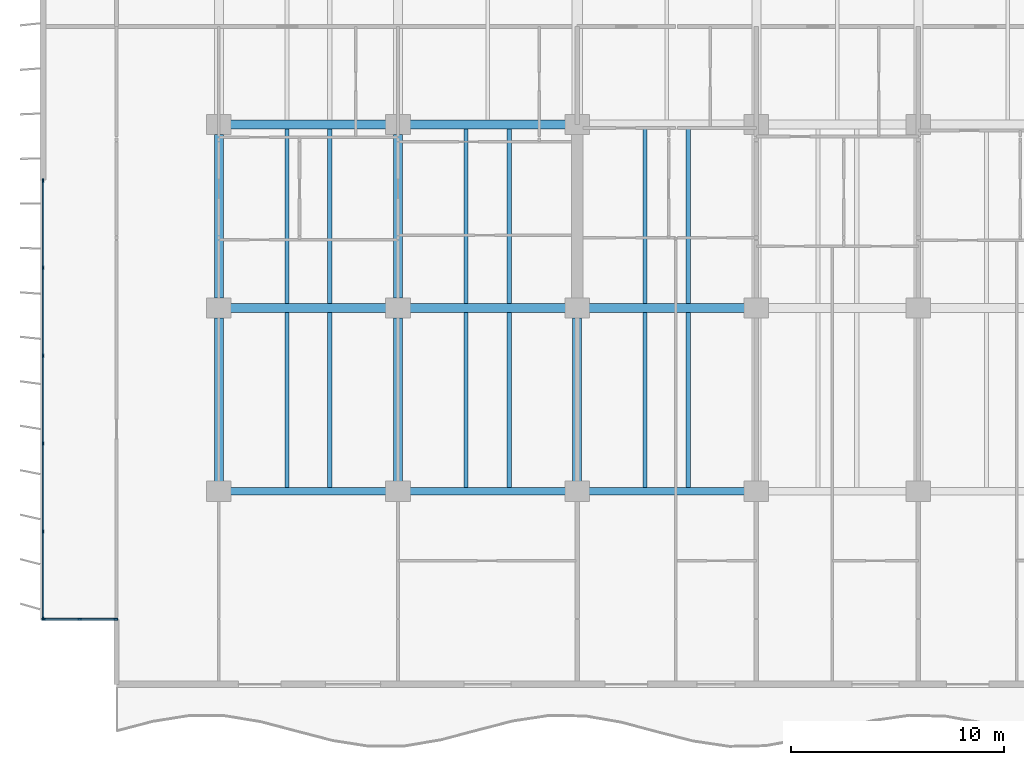
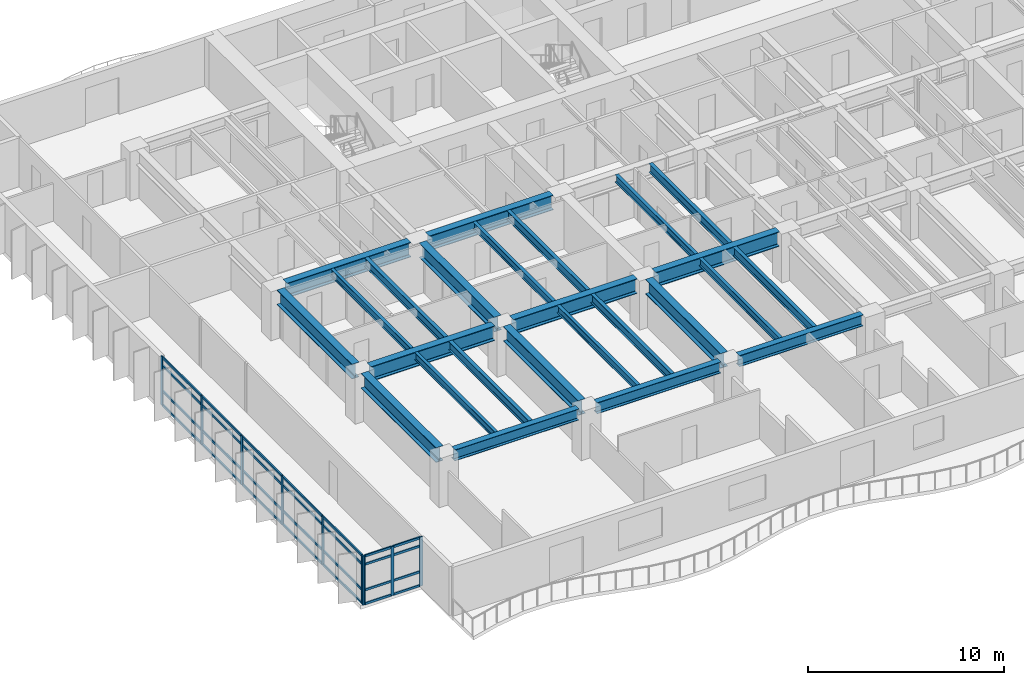
# One storey, part 2 of 18: 37 members, 25 beams, 2 elements without a shape of their own.
"""IFC4 building model written with IfcOpenShell, lengths in metres."""

from ifc_helpers import new_model, si_unit, direction, frame, origin, origin_2d, place, context, subcontext, project, spatial, rectangle, i_section, extrude, material, layer, layer_set, material_profile, profile_set, type_object, element, aggregate, save


model = new_model("IFC4")

# Units and contexts
model_context = context("Model", 3, precision=1e-05, world=origin(), true_north=direction((0.0, 1.0)))
body_context = subcontext(model_context, "Body", "Model", "MODEL_VIEW")
ifc_project = project(units=[si_unit("LENGTHUNIT", "METRE"), si_unit("AREAUNIT", "SQUARE_METRE"), si_unit("VOLUMEUNIT", "CUBIC_METRE"), si_unit("PLANEANGLEUNIT", "RADIAN"), si_unit("MASSUNIT", "GRAM", prefix="KILO")], contexts=[model_context])

# Site, building, storey
site_placement = place(None, origin())
site = spatial("IfcSite", under=ifc_project, at=site_placement, CompositionType="ELEMENT")
building_placement = place(site_placement, origin())
building = spatial("IfcBuilding", under=site, at=building_placement, Name="Caelmar Bay Residences", CompositionType="ELEMENT")
storey_placement = place(building_placement, frame((0.0, 0.0, 46.5)))
storey = spatial("IfcBuildingStorey", under=building, at=storey_placement, Name="L11", CompositionType="ELEMENT", Elevation=46.5)

# Beams
ifc_material_1 = material(Name="Steel ASTM A992 Grade 50", Category="steel")
ifc_material_profile_1 = material_profile(ifc_material_1, i_section(OverallWidth=0.422119140625, OverallDepth=0.925048828125, WebThickness=0.021240234375, FlangeThickness=0.03662109375, FilletRadius=0.020263671875, at=origin_2d()), Name="W36X262")
ifc_profile_set_1 = profile_set([ifc_material_profile_1], Name="Steel ASTM A992 Grade 50")
beam_type_1 = type_object("IfcBeamType", Name="BM-GRD-W36X262", PredefinedType="BEAM", material=ifc_profile_set_1)
beam_1_placement = place(storey_placement, frame((10.43994140625, 20.800048828125, 2.58740234375), z_axis=(1.0, 0.0, 0.0), x_axis=(0.0, 1.0, 0.0)))
element("IfcBeam", 1, at=beam_1_placement, inside=storey, type_object=beam_type_1, Name="L11 East-West Girder Y=20.80 (9.9-18.3)", PredefinedType="BEAM", context=body_context, shape_type="SweptSolid", body=[
    extrude(i_section(OverallWidth=0.422119140625, OverallDepth=0.925048828125, WebThickness=0.021240234375, FlangeThickness=0.03662109375, FilletRadius=0.020263671875, at=origin_2d()), origin(), (0.0, 0.0, 1.0), 7.320068359375),
])
beam_2_placement = place(storey_placement, frame((18.840087890625, 20.800048828125, 2.58740234375), z_axis=(1.0, 0.0, 0.0), x_axis=(0.0, 1.0, 0.0)))
element("IfcBeam", 2, at=beam_2_placement, inside=storey, type_object=beam_type_1, Name="L11 East-West Girder Y=20.80 (18.3-26.7)", PredefinedType="BEAM", context=body_context, shape_type="SweptSolid", body=[
    extrude(i_section(OverallWidth=0.422119140625, OverallDepth=0.925048828125, WebThickness=0.021240234375, FlangeThickness=0.03662109375, FilletRadius=0.020263671875, at=origin_2d()), origin(), (0.0, 0.0, 1.0), 7.31982421875),
])
for number, where, z_axis, x_axis, name in (
    (3, (27.239990234375, 20.800048828125, 2.58740234375), (1.0, 0.0, 0.0), (0.0, 1.0, 0.0), "L11 East-West Girder Y=20.80 (26.7-35.1)"),
    (4, (10.43994140625, 29.39990234375, 2.58740234375), (1.0, 0.0, 0.0), (0.0, 1.0, 0.0), "L11 East-West Girder Y=29.40 (9.9-18.3)"),
):
    element("IfcBeam", number, at=place(storey_placement, frame(where, z_axis=z_axis, x_axis=x_axis)), inside=storey, type_object=beam_type_1, Name=name, PredefinedType="BEAM", context=body_context, shape_type="SweptSolid", body=[
        extrude(i_section(OverallWidth=0.422119140625, OverallDepth=0.925048828125, WebThickness=0.021240234375, FlangeThickness=0.03662109375, FilletRadius=0.020263671875, at=origin_2d()), origin(), (0.0, 0.0, 1.0), 7.320068359375),
    ])
beam_3_placement = place(storey_placement, frame((18.840087890625, 29.39990234375, 2.58740234375), z_axis=(1.0, 0.0, 0.0), x_axis=(0.0, 1.0, 0.0)))
element("IfcBeam", 5, at=beam_3_placement, inside=storey, type_object=beam_type_1, Name="L11 East-West Girder Y=29.40 (18.3-26.7)", PredefinedType="BEAM", context=body_context, shape_type="SweptSolid", body=[
    extrude(i_section(OverallWidth=0.422119140625, OverallDepth=0.925048828125, WebThickness=0.021240234375, FlangeThickness=0.03662109375, FilletRadius=0.020263671875, at=origin_2d()), origin(), (0.0, 0.0, 1.0), 7.31982421875),
])
beam_4_placement = place(storey_placement, frame((9.89990234375, 12.6650390625, 2.58740234375), z_axis=(0.0, 1.0, 0.0), x_axis=(-1.0, 0.0, 0.0)))
element("IfcBeam", 6, at=beam_4_placement, inside=storey, type_object=beam_type_1, Name="L11 North-South Girder X=9.90 (12.2-20.8)", PredefinedType="BEAM", context=body_context, shape_type="SweptSolid", body=[
    extrude(i_section(OverallWidth=0.422119140625, OverallDepth=0.925048828125, WebThickness=0.021240234375, FlangeThickness=0.03662109375, FilletRadius=0.020263671875, at=origin_2d()), origin(), (0.0, 0.0, 1.0), 7.669921875),
])
beam_5_placement = place(storey_placement, frame((9.89990234375, 21.264892578125, 2.58740234375), z_axis=(0.0, 1.0, 0.0), x_axis=(-1.0, 0.0, 0.0)))
element("IfcBeam", 7, at=beam_5_placement, inside=storey, type_object=beam_type_1, Name="L11 North-South Girder X=9.90 (20.8-29.4)", PredefinedType="BEAM", context=body_context, shape_type="SweptSolid", body=[
    extrude(i_section(OverallWidth=0.422119140625, OverallDepth=0.925048828125, WebThickness=0.021240234375, FlangeThickness=0.03662109375, FilletRadius=0.020263671875, at=origin_2d()), origin(), (0.0, 0.0, 1.0), 7.670166015625),
])
beam_6_placement = place(storey_placement, frame((18.300048828125, 12.6650390625, 2.58740234375), z_axis=(0.0, 1.0, 0.0), x_axis=(-1.0, 0.0, 0.0)))
element("IfcBeam", 8, at=beam_6_placement, inside=storey, type_object=beam_type_1, Name="L11 North-South Girder X=18.30 (12.2-20.8)", PredefinedType="BEAM", context=body_context, shape_type="SweptSolid", body=[
    extrude(i_section(OverallWidth=0.422119140625, OverallDepth=0.925048828125, WebThickness=0.021240234375, FlangeThickness=0.03662109375, FilletRadius=0.020263671875, at=origin_2d()), origin(), (0.0, 0.0, 1.0), 7.669921875),
])
beam_7_placement = place(storey_placement, frame((18.300048828125, 21.264892578125, 2.58740234375), z_axis=(0.0, 1.0, 0.0), x_axis=(-1.0, 0.0, 0.0)))
element("IfcBeam", 9, at=beam_7_placement, inside=storey, type_object=beam_type_1, Name="L11 North-South Girder X=18.30 (20.8-29.4)", PredefinedType="BEAM", context=body_context, shape_type="SweptSolid", body=[
    extrude(i_section(OverallWidth=0.422119140625, OverallDepth=0.925048828125, WebThickness=0.021240234375, FlangeThickness=0.03662109375, FilletRadius=0.020263671875, at=origin_2d()), origin(), (0.0, 0.0, 1.0), 7.670166015625),
])
beam_8_placement = place(storey_placement, frame((26.699951171875, 12.6650390625, 2.58740234375), z_axis=(0.0, 1.0, 0.0), x_axis=(-1.0, 0.0, 0.0)))
element("IfcBeam", 10, at=beam_8_placement, inside=storey, type_object=beam_type_1, Name="L11 North-South Girder X=26.70 (12.2-20.8)", PredefinedType="BEAM", context=body_context, shape_type="SweptSolid", body=[
    extrude(i_section(OverallWidth=0.422119140625, OverallDepth=0.925048828125, WebThickness=0.021240234375, FlangeThickness=0.03662109375, FilletRadius=0.020263671875, at=origin_2d()), origin(), (0.0, 0.0, 1.0), 7.669921875),
])
ifc_material_profile_2 = material_profile(ifc_material_1, i_section(OverallWidth=0.19091796875, OverallDepth=0.45703125, WebThickness=0.009033203125, FlangeThickness=0.014404296875, FilletRadius=0.01025390625, at=origin_2d()), Name="W18X50")
ifc_profile_set_2 = profile_set([ifc_material_profile_2], Name="Steel ASTM A992 Grade 50")
beam_type_2 = type_object("IfcBeamType", Name="BM-JST-W18X50", PredefinedType="JOIST", material=ifc_profile_set_2)
for number, where, z_axis, x_axis, name in (
    (11, (13.092041015625, 12.3779296875, 2.821533203125), (0.0, 1.0, 0.0), (-1.0, 0.0, 0.0), "L11 Composite Floor Joist 1"),
    (12, (21.491943359375, 12.3779296875, 2.821533203125), (0.0, 1.0, 0.0), (-1.0, 0.0, 0.0), "L11 Composite Floor Joist 3"),
    (13, (29.89208984375, 12.3779296875, 2.821533203125), (0.0, 1.0, 0.0), (-1.0, 0.0, 0.0), "L11 Composite Floor Joist 5"),
):
    element("IfcBeam", number, at=place(storey_placement, frame(where, z_axis=z_axis, x_axis=x_axis)), inside=storey, type_object=beam_type_2, Name=name, PredefinedType="JOIST", context=body_context, shape_type="SweptSolid", body=[
        extrude(i_section(OverallWidth=0.19091796875, OverallDepth=0.45703125, WebThickness=0.009033203125, FlangeThickness=0.014404296875, FilletRadius=0.01025390625, at=origin_2d()), origin(), (0.0, 0.0, 1.0), 8.211181640625),
    ])
for number, where, z_axis, x_axis, name in (
    (14, (13.092041015625, 21.010986328125, 2.821533203125), (0.0, 1.0, 0.0), (-1.0, 0.0, 0.0), "L11 Composite Floor Joist 15"),
    (15, (21.491943359375, 21.010986328125, 2.821533203125), (0.0, 1.0, 0.0), (-1.0, 0.0, 0.0), "L11 Composite Floor Joist 17"),
    (16, (29.89208984375, 21.010986328125, 2.821533203125), (0.0, 1.0, 0.0), (-1.0, 0.0, 0.0), "L11 Composite Floor Joist 19"),
):
    element("IfcBeam", number, at=place(storey_placement, frame(where, z_axis=z_axis, x_axis=x_axis)), inside=storey, type_object=beam_type_2, Name=name, PredefinedType="JOIST", context=body_context, shape_type="SweptSolid", body=[
        extrude(i_section(OverallWidth=0.19091796875, OverallDepth=0.45703125, WebThickness=0.009033203125, FlangeThickness=0.014404296875, FilletRadius=0.01025390625, at=origin_2d()), origin(), (0.0, 0.0, 1.0), 8.177978515625),
    ])
ifc_material_profile_3 = material_profile(ifc_material_1, i_section(OverallWidth=0.214111328125, OverallDepth=0.549072265625, WebThickness=0.0146484375, FlangeThickness=0.023681640625, FilletRadius=0.0126953125, at=origin_2d()), Name="W21X93")
ifc_profile_set_3 = profile_set([ifc_material_profile_3], Name="Steel ASTM A992 Grade 50")
beam_type_3 = type_object("IfcBeamType", Name="BM-JST-W21X93", PredefinedType="JOIST", material=ifc_profile_set_3)
for number, where, z_axis, x_axis, name in (
    (17, (15.10791015625, 12.3779296875, 2.775390625), (0.0, 1.0, 0.0), (-1.0, 0.0, 0.0), "L11 Composite Floor Joist 2"),
    (18, (23.508056640625, 12.3779296875, 2.775390625), (0.0, 1.0, 0.0), (-1.0, 0.0, 0.0), "L11 Composite Floor Joist 4"),
    (19, (31.907958984375, 12.3779296875, 2.775390625), (0.0, 1.0, 0.0), (-1.0, 0.0, 0.0), "L11 Composite Floor Joist 6"),
):
    element("IfcBeam", number, at=place(storey_placement, frame(where, z_axis=z_axis, x_axis=x_axis)), inside=storey, type_object=beam_type_3, Name=name, PredefinedType="JOIST", context=body_context, shape_type="SweptSolid", body=[
        extrude(i_section(OverallWidth=0.214111328125, OverallDepth=0.549072265625, WebThickness=0.0146484375, FlangeThickness=0.023681640625, FilletRadius=0.0126953125, at=origin_2d()), origin(), (0.0, 0.0, 1.0), 8.211181640625),
    ])
for number, where, z_axis, x_axis, name in (
    (20, (15.10791015625, 21.010986328125, 2.775390625), (0.0, 1.0, 0.0), (-1.0, 0.0, 0.0), "L11 Composite Floor Joist 16"),
    (21, (23.508056640625, 21.010986328125, 2.775390625), (0.0, 1.0, 0.0), (-1.0, 0.0, 0.0), "L11 Composite Floor Joist 18"),
    (22, (31.907958984375, 21.010986328125, 2.775390625), (0.0, 1.0, 0.0), (-1.0, 0.0, 0.0), "L11 Composite Floor Joist 20"),
):
    element("IfcBeam", number, at=place(storey_placement, frame(where, z_axis=z_axis, x_axis=x_axis)), inside=storey, type_object=beam_type_3, Name=name, PredefinedType="JOIST", context=body_context, shape_type="SweptSolid", body=[
        extrude(i_section(OverallWidth=0.214111328125, OverallDepth=0.549072265625, WebThickness=0.0146484375, FlangeThickness=0.023681640625, FilletRadius=0.0126953125, at=origin_2d()), origin(), (0.0, 0.0, 1.0), 8.177978515625),
    ])
ifc_material_profile_4 = material_profile(ifc_material_1, i_section(OverallWidth=0.35595703125, OverallDepth=0.696044921875, WebThickness=0.015380859375, FlangeThickness=0.02490234375, FilletRadius=0.01513671875, at=origin_2d()), Name="W27X146")
ifc_profile_set_4 = profile_set([ifc_material_profile_4], Name="Steel ASTM A992 Grade 50")
beam_type_4 = type_object("IfcBeamType", Name="BM-SPN-W27X146", PredefinedType="SPANDREL", material=ifc_profile_set_4)
beam_9_placement = place(storey_placement, frame((10.43994140625, 12.199951171875, 2.701904296875), z_axis=(1.0, 0.0, 0.0), x_axis=(0.0, 1.0, 0.0)))
element("IfcBeam", 23, at=beam_9_placement, inside=storey, type_object=beam_type_4, Name="L11 East-West Girder Y=12.20 (9.9-18.3)", PredefinedType="SPANDREL", context=body_context, shape_type="SweptSolid", body=[
    extrude(i_section(OverallWidth=0.35595703125, OverallDepth=0.696044921875, WebThickness=0.015380859375, FlangeThickness=0.02490234375, FilletRadius=0.01513671875, at=origin_2d()), origin(), (0.0, 0.0, 1.0), 7.320068359375),
])
beam_10_placement = place(storey_placement, frame((18.840087890625, 12.199951171875, 2.701904296875), z_axis=(1.0, 0.0, 0.0), x_axis=(0.0, 1.0, 0.0)))
element("IfcBeam", 24, at=beam_10_placement, inside=storey, type_object=beam_type_4, Name="L11 East-West Girder Y=12.20 (18.3-26.7)", PredefinedType="SPANDREL", context=body_context, shape_type="SweptSolid", body=[
    extrude(i_section(OverallWidth=0.35595703125, OverallDepth=0.696044921875, WebThickness=0.015380859375, FlangeThickness=0.02490234375, FilletRadius=0.01513671875, at=origin_2d()), origin(), (0.0, 0.0, 1.0), 7.31982421875),
])
beam_11_placement = place(storey_placement, frame((27.239990234375, 12.199951171875, 2.701904296875), z_axis=(1.0, 0.0, 0.0), x_axis=(0.0, 1.0, 0.0)))
element("IfcBeam", 25, at=beam_11_placement, inside=storey, type_object=beam_type_4, Name="L11 East-West Girder Y=12.20 (26.7-35.1)", PredefinedType="SPANDREL", context=body_context, shape_type="SweptSolid", body=[
    extrude(i_section(OverallWidth=0.35595703125, OverallDepth=0.696044921875, WebThickness=0.015380859375, FlangeThickness=0.02490234375, FilletRadius=0.01513671875, at=origin_2d()), origin(), (0.0, 0.0, 1.0), 7.320068359375),
])

# Curtain wall, members
ifc_material_2 = material(Name="Anodised bronze aluminium 6063-T6 and laminated glass", Category="aluminium")
ifc_layer_1 = layer(ifc_material_2, 0.179931640625)
ifc_layer_set_1 = layer_set([ifc_layer_1], Name="Anodised bronze aluminium 6063-T6 and laminated glass")
curtain_wall_type_1 = type_object("IfcCurtainWallType", Name="CW6-NTC", PredefinedType="NOTDEFINED", material=ifc_layer_set_1)
curtain_wall_1_placement = place(storey_placement, origin())
curtain_wall_1 = element("IfcCurtainWall", 26, at=curtain_wall_1_placement, inside=storey, type_object=curtain_wall_type_1, Name="CW6 curtain wall L11", PredefinedType="NOTDEFINED")
ifc_material_3 = material(Name="Anodised bronze aluminium 6063-T6", Category="aluminium")
ifc_material_profile_5 = material_profile(ifc_material_3, rectangle(XDim=0.080078125, YDim=0.179931640625, at=origin_2d()), Name="CWM-80X180")
ifc_profile_set_5 = profile_set([ifc_material_profile_5], Name="Anodised bronze aluminium 6063-T6")
member_type_1 = type_object("IfcMemberType", Name="CWM-180", PredefinedType="MULLION", material=ifc_profile_set_5)
member_1_placement = place(storey_placement, frame((1.68994140625, 6.199951171875, 0.0), z_axis=(0.0, 0.0, 1.0), x_axis=(0.0, 1.0, 0.0)))
member_1 = element("IfcMember", 27, at=member_1_placement, type_object=member_type_1, Name="CW6 mullion 1", PredefinedType="MULLION", context=body_context, shape_type="SweptSolid", body=[
    extrude(rectangle(XDim=0.080078125, YDim=0.179931640625, at=origin_2d()), origin(), (0.0, 0.0, 1.0), 3.050048828125),
])
member_2_placement = place(storey_placement, frame((3.375, 6.199951171875, 0.0), z_axis=(0.0, 0.0, 1.0), x_axis=(0.0, 1.0, 0.0)))
member_2 = element("IfcMember", 28, at=member_2_placement, type_object=member_type_1, Name="CW6 mullion 2", PredefinedType="MULLION", context=body_context, shape_type="SweptSolid", body=[
    extrude(rectangle(XDim=0.080078125, YDim=0.179931640625, at=origin_2d()), origin(), (0.0, 0.0, 1.0), 3.050048828125),
])
member_3_placement = place(storey_placement, frame((5.06005859375, 6.199951171875, 0.0), z_axis=(0.0, 0.0, 1.0), x_axis=(0.0, 1.0, 0.0)))
member_3 = element("IfcMember", 29, at=member_3_placement, type_object=member_type_1, Name="CW6 mullion 3", PredefinedType="MULLION", context=body_context, shape_type="SweptSolid", body=[
    extrude(rectangle(XDim=0.080078125, YDim=0.179931640625, at=origin_2d()), origin(), (0.0, 0.0, 1.0), 3.050048828125),
])

ifc_layer_2 = layer(ifc_material_2, 0.179931640625)
ifc_layer_set_2 = layer_set([ifc_layer_2], Name="Anodised bronze aluminium 6063-T6 and laminated glass")
curtain_wall_type_2 = type_object("IfcCurtainWallType", Name="CW2-Z1", PredefinedType="NOTDEFINED", material=ifc_layer_set_2)
curtain_wall_2_placement = place(storey_placement, origin())
curtain_wall_2 = element("IfcCurtainWall", 30, at=curtain_wall_2_placement, inside=storey, type_object=curtain_wall_type_2, Name="CW2 curtain wall L11", PredefinedType="NOTDEFINED")
member_4_placement = place(storey_placement, frame((1.64990234375, 6.239990234375, 0.0), z_axis=(0.0, 0.0, 1.0), x_axis=(-1.0, 0.0, 0.0)))
member_4 = element("IfcMember", 31, at=member_4_placement, type_object=member_type_1, Name="CW2 mullion 1", PredefinedType="MULLION", context=body_context, shape_type="SweptSolid", body=[
    extrude(rectangle(XDim=0.080078125, YDim=0.179931640625, at=origin_2d()), origin(), (0.0, 0.0, 1.0), 3.050048828125),
])
member_5_placement = place(storey_placement, frame((1.64990234375, 10.320068359375, 0.0), z_axis=(0.0, 0.0, 1.0), x_axis=(-1.0, 0.0, 0.0)))
member_5 = element("IfcMember", 32, at=member_5_placement, type_object=member_type_1, Name="CW2 mullion 2", PredefinedType="MULLION", context=body_context, shape_type="SweptSolid", body=[
    extrude(rectangle(XDim=0.080078125, YDim=0.179931640625, at=origin_2d()), origin(), (0.0, 0.0, 1.0), 3.050048828125),
])
member_6_placement = place(storey_placement, frame((1.64990234375, 14.43994140625, 0.0), z_axis=(0.0, 0.0, 1.0), x_axis=(-1.0, 0.0, 0.0)))
member_6 = element("IfcMember", 33, at=member_6_placement, type_object=member_type_1, Name="CW2 mullion 3", PredefinedType="MULLION", context=body_context, shape_type="SweptSolid", body=[
    extrude(rectangle(XDim=0.080078125, YDim=0.179931640625, at=origin_2d()), origin(), (0.0, 0.0, 1.0), 3.050048828125),
])
member_7_placement = place(storey_placement, frame((1.64990234375, 18.56005859375, 0.0), z_axis=(0.0, 0.0, 1.0), x_axis=(-1.0, 0.0, 0.0)))
member_7 = element("IfcMember", 34, at=member_7_placement, type_object=member_type_1, Name="CW2 mullion 4", PredefinedType="MULLION", context=body_context, shape_type="SweptSolid", body=[
    extrude(rectangle(XDim=0.080078125, YDim=0.179931640625, at=origin_2d()), origin(), (0.0, 0.0, 1.0), 3.050048828125),
])
member_8_placement = place(storey_placement, frame((1.64990234375, 22.679931640625, 0.0), z_axis=(0.0, 0.0, 1.0), x_axis=(-1.0, 0.0, 0.0)))
member_8 = element("IfcMember", 35, at=member_8_placement, type_object=member_type_1, Name="CW2 mullion 5", PredefinedType="MULLION", context=body_context, shape_type="SweptSolid", body=[
    extrude(rectangle(XDim=0.080078125, YDim=0.179931640625, at=origin_2d()), origin(), (0.0, 0.0, 1.0), 3.050048828125),
])
member_9_placement = place(storey_placement, frame((1.64990234375, 26.760009765625, 0.0), z_axis=(0.0, 0.0, 1.0), x_axis=(-1.0, 0.0, 0.0)))
member_9 = element("IfcMember", 36, at=member_9_placement, type_object=member_type_1, Name="CW2 mullion 6", PredefinedType="MULLION", context=body_context, shape_type="SweptSolid", body=[
    extrude(rectangle(XDim=0.080078125, YDim=0.179931640625, at=origin_2d()), origin(), (0.0, 0.0, 1.0), 3.050048828125),
])

# Member
ifc_material_profile_6 = material_profile(ifc_material_3, rectangle(XDim=0.080078125, YDim=0.139892578125, at=origin_2d()), Name="CWT-80X140")
ifc_profile_set_6 = profile_set([ifc_material_profile_6], Name="Anodised bronze aluminium 6063-T6")
member_type_2 = type_object("IfcMemberType", Name="CWT-140", PredefinedType="NOTDEFINED", material=ifc_profile_set_6)
member_10_placement = place(storey_placement, frame((1.72998046875, 6.199951171875, 0.0400390625), z_axis=(1.0, 0.0, 0.0), x_axis=(0.0, 1.0, 0.0)))
member_10 = element("IfcMember", 37, at=member_10_placement, type_object=member_type_2, Name="CW6 transom 1.1", ObjectType="TRANSOM", PredefinedType="USERDEFINED", context=body_context, shape_type="SweptSolid", body=[
    extrude(rectangle(XDim=0.080078125, YDim=0.139892578125, at=origin_2d()), origin(), (0.0, 0.0, 1.0), 1.60498046875),
])

member_11_placement = place(storey_placement, frame((1.72998046875, 6.199951171875, 0.89990234375), z_axis=(1.0, 0.0, 0.0), x_axis=(0.0, 1.0, 0.0)))
member_11 = element("IfcMember", 38, at=member_11_placement, type_object=member_type_2, Name="CW6 transom 1.2", ObjectType="TRANSOM", PredefinedType="USERDEFINED", context=body_context, shape_type="SweptSolid", body=[
    extrude(rectangle(XDim=0.080078125, YDim=0.139892578125, at=origin_2d()), origin(), (0.0, 0.0, 1.0), 1.60498046875),
])

member_12_placement = place(storey_placement, frame((1.72998046875, 6.199951171875, 2.5), z_axis=(1.0, 0.0, 0.0), x_axis=(0.0, 1.0, 0.0)))
member_12 = element("IfcMember", 39, at=member_12_placement, type_object=member_type_2, Name="CW6 transom 1.3", ObjectType="TRANSOM", PredefinedType="USERDEFINED", context=body_context, shape_type="SweptSolid", body=[
    extrude(rectangle(XDim=0.080078125, YDim=0.139892578125, at=origin_2d()), origin(), (0.0, 0.0, 1.0), 1.60498046875),
])

member_13_placement = place(storey_placement, frame((1.72998046875, 6.199951171875, 3.010009765625), z_axis=(1.0, 0.0, 0.0), x_axis=(0.0, 1.0, 0.0)))
member_13 = element("IfcMember", 40, at=member_13_placement, type_object=member_type_2, Name="CW6 transom 1.4", ObjectType="TRANSOM", PredefinedType="USERDEFINED", context=body_context, shape_type="SweptSolid", body=[
    extrude(rectangle(XDim=0.080078125, YDim=0.139892578125, at=origin_2d()), origin(), (0.0, 0.0, 1.0), 1.60498046875),
])

member_14_placement = place(storey_placement, frame((3.4150390625, 6.199951171875, 0.0400390625), z_axis=(1.0, 0.0, 0.0), x_axis=(0.0, 1.0, 0.0)))
member_14 = element("IfcMember", 41, at=member_14_placement, type_object=member_type_2, Name="CW6 transom 2.1", ObjectType="TRANSOM", PredefinedType="USERDEFINED", context=body_context, shape_type="SweptSolid", body=[
    extrude(rectangle(XDim=0.080078125, YDim=0.139892578125, at=origin_2d()), origin(), (0.0, 0.0, 1.0), 1.60498046875),
])

member_15_placement = place(storey_placement, frame((3.4150390625, 6.199951171875, 0.89990234375), z_axis=(1.0, 0.0, 0.0), x_axis=(0.0, 1.0, 0.0)))
member_15 = element("IfcMember", 42, at=member_15_placement, type_object=member_type_2, Name="CW6 transom 2.2", ObjectType="TRANSOM", PredefinedType="USERDEFINED", context=body_context, shape_type="SweptSolid", body=[
    extrude(rectangle(XDim=0.080078125, YDim=0.139892578125, at=origin_2d()), origin(), (0.0, 0.0, 1.0), 1.60498046875),
])

member_16_placement = place(storey_placement, frame((3.4150390625, 6.199951171875, 2.5), z_axis=(1.0, 0.0, 0.0), x_axis=(0.0, 1.0, 0.0)))
member_16 = element("IfcMember", 43, at=member_16_placement, type_object=member_type_2, Name="CW6 transom 2.3", ObjectType="TRANSOM", PredefinedType="USERDEFINED", context=body_context, shape_type="SweptSolid", body=[
    extrude(rectangle(XDim=0.080078125, YDim=0.139892578125, at=origin_2d()), origin(), (0.0, 0.0, 1.0), 1.60498046875),
])

member_17_placement = place(storey_placement, frame((3.4150390625, 6.199951171875, 3.010009765625), z_axis=(1.0, 0.0, 0.0), x_axis=(0.0, 1.0, 0.0)))
member_17 = element("IfcMember", 44, at=member_17_placement, type_object=member_type_2, Name="CW6 transom 2.4", ObjectType="TRANSOM", PredefinedType="USERDEFINED", context=body_context, shape_type="SweptSolid", body=[
    extrude(rectangle(XDim=0.080078125, YDim=0.139892578125, at=origin_2d()), origin(), (0.0, 0.0, 1.0), 1.60498046875),
])

aggregate(curtain_wall_1, [member_1, member_2, member_3, member_10, member_11, member_12, member_13, member_14, member_15, member_16, member_17])

member_18_placement = place(storey_placement, frame((1.64990234375, 6.280029296875, 0.0400390625), z_axis=(0.0, 1.0, 0.0), x_axis=(-1.0, 0.0, 0.0)))
member_18 = element("IfcMember", 45, at=member_18_placement, type_object=member_type_2, Name="CW2 transom 1.1", ObjectType="TRANSOM", PredefinedType="USERDEFINED", context=body_context, shape_type="SweptSolid", body=[
    extrude(rectangle(XDim=0.080078125, YDim=0.139892578125, at=origin_2d()), origin(), (0.0, 0.0, 1.0), 4.0),
])

member_19_placement = place(storey_placement, frame((1.64990234375, 6.280029296875, 0.89990234375), z_axis=(0.0, 1.0, 0.0), x_axis=(-1.0, 0.0, 0.0)))
member_19 = element("IfcMember", 46, at=member_19_placement, type_object=member_type_2, Name="CW2 transom 1.2", ObjectType="TRANSOM", PredefinedType="USERDEFINED", context=body_context, shape_type="SweptSolid", body=[
    extrude(rectangle(XDim=0.080078125, YDim=0.139892578125, at=origin_2d()), origin(), (0.0, 0.0, 1.0), 4.0),
])

member_20_placement = place(storey_placement, frame((1.64990234375, 6.280029296875, 2.5), z_axis=(0.0, 1.0, 0.0), x_axis=(-1.0, 0.0, 0.0)))
member_20 = element("IfcMember", 47, at=member_20_placement, type_object=member_type_2, Name="CW2 transom 1.3", ObjectType="TRANSOM", PredefinedType="USERDEFINED", context=body_context, shape_type="SweptSolid", body=[
    extrude(rectangle(XDim=0.080078125, YDim=0.139892578125, at=origin_2d()), origin(), (0.0, 0.0, 1.0), 4.0),
])

member_21_placement = place(storey_placement, frame((1.64990234375, 6.280029296875, 3.010009765625), z_axis=(0.0, 1.0, 0.0), x_axis=(-1.0, 0.0, 0.0)))
member_21 = element("IfcMember", 48, at=member_21_placement, type_object=member_type_2, Name="CW2 transom 1.4", ObjectType="TRANSOM", PredefinedType="USERDEFINED", context=body_context, shape_type="SweptSolid", body=[
    extrude(rectangle(XDim=0.080078125, YDim=0.139892578125, at=origin_2d()), origin(), (0.0, 0.0, 1.0), 4.0),
])

member_22_placement = place(storey_placement, frame((1.64990234375, 10.360107421875, 0.0400390625), z_axis=(0.0, 1.0, 0.0), x_axis=(-1.0, 0.0, 0.0)))
member_22 = element("IfcMember", 49, at=member_22_placement, type_object=member_type_2, Name="CW2 transom 2.1", ObjectType="TRANSOM", PredefinedType="USERDEFINED", context=body_context, shape_type="SweptSolid", body=[
    extrude(rectangle(XDim=0.080078125, YDim=0.139892578125, at=origin_2d()), origin(), (0.0, 0.0, 1.0), 4.039794921875),
])

member_23_placement = place(storey_placement, frame((1.64990234375, 10.360107421875, 0.89990234375), z_axis=(0.0, 1.0, 0.0), x_axis=(-1.0, 0.0, 0.0)))
member_23 = element("IfcMember", 50, at=member_23_placement, type_object=member_type_2, Name="CW2 transom 2.2", ObjectType="TRANSOM", PredefinedType="USERDEFINED", context=body_context, shape_type="SweptSolid", body=[
    extrude(rectangle(XDim=0.080078125, YDim=0.139892578125, at=origin_2d()), origin(), (0.0, 0.0, 1.0), 4.039794921875),
])

member_24_placement = place(storey_placement, frame((1.64990234375, 10.360107421875, 2.5), z_axis=(0.0, 1.0, 0.0), x_axis=(-1.0, 0.0, 0.0)))
member_24 = element("IfcMember", 51, at=member_24_placement, type_object=member_type_2, Name="CW2 transom 2.3", ObjectType="TRANSOM", PredefinedType="USERDEFINED", context=body_context, shape_type="SweptSolid", body=[
    extrude(rectangle(XDim=0.080078125, YDim=0.139892578125, at=origin_2d()), origin(), (0.0, 0.0, 1.0), 4.039794921875),
])

member_25_placement = place(storey_placement, frame((1.64990234375, 10.360107421875, 3.010009765625), z_axis=(0.0, 1.0, 0.0), x_axis=(-1.0, 0.0, 0.0)))
member_25 = element("IfcMember", 52, at=member_25_placement, type_object=member_type_2, Name="CW2 transom 2.4", ObjectType="TRANSOM", PredefinedType="USERDEFINED", context=body_context, shape_type="SweptSolid", body=[
    extrude(rectangle(XDim=0.080078125, YDim=0.139892578125, at=origin_2d()), origin(), (0.0, 0.0, 1.0), 4.039794921875),
])

member_26_placement = place(storey_placement, frame((1.64990234375, 14.47998046875, 0.0400390625), z_axis=(0.0, 1.0, 0.0), x_axis=(-1.0, 0.0, 0.0)))
member_26 = element("IfcMember", 53, at=member_26_placement, type_object=member_type_2, Name="CW2 transom 3.1", ObjectType="TRANSOM", PredefinedType="USERDEFINED", context=body_context, shape_type="SweptSolid", body=[
    extrude(rectangle(XDim=0.080078125, YDim=0.139892578125, at=origin_2d()), origin(), (0.0, 0.0, 1.0), 4.0400390625),
])

member_27_placement = place(storey_placement, frame((1.64990234375, 14.47998046875, 0.89990234375), z_axis=(0.0, 1.0, 0.0), x_axis=(-1.0, 0.0, 0.0)))
member_27 = element("IfcMember", 54, at=member_27_placement, type_object=member_type_2, Name="CW2 transom 3.2", ObjectType="TRANSOM", PredefinedType="USERDEFINED", context=body_context, shape_type="SweptSolid", body=[
    extrude(rectangle(XDim=0.080078125, YDim=0.139892578125, at=origin_2d()), origin(), (0.0, 0.0, 1.0), 4.0400390625),
])

member_28_placement = place(storey_placement, frame((1.64990234375, 14.47998046875, 2.5), z_axis=(0.0, 1.0, 0.0), x_axis=(-1.0, 0.0, 0.0)))
member_28 = element("IfcMember", 55, at=member_28_placement, type_object=member_type_2, Name="CW2 transom 3.3", ObjectType="TRANSOM", PredefinedType="USERDEFINED", context=body_context, shape_type="SweptSolid", body=[
    extrude(rectangle(XDim=0.080078125, YDim=0.139892578125, at=origin_2d()), origin(), (0.0, 0.0, 1.0), 4.0400390625),
])

member_29_placement = place(storey_placement, frame((1.64990234375, 14.47998046875, 3.010009765625), z_axis=(0.0, 1.0, 0.0), x_axis=(-1.0, 0.0, 0.0)))
member_29 = element("IfcMember", 56, at=member_29_placement, type_object=member_type_2, Name="CW2 transom 3.4", ObjectType="TRANSOM", PredefinedType="USERDEFINED", context=body_context, shape_type="SweptSolid", body=[
    extrude(rectangle(XDim=0.080078125, YDim=0.139892578125, at=origin_2d()), origin(), (0.0, 0.0, 1.0), 4.0400390625),
])

member_30_placement = place(storey_placement, frame((1.64990234375, 18.60009765625, 0.0400390625), z_axis=(0.0, 1.0, 0.0), x_axis=(-1.0, 0.0, 0.0)))
member_30 = element("IfcMember", 57, at=member_30_placement, type_object=member_type_2, Name="CW2 transom 4.1", ObjectType="TRANSOM", PredefinedType="USERDEFINED", context=body_context, shape_type="SweptSolid", body=[
    extrude(rectangle(XDim=0.080078125, YDim=0.139892578125, at=origin_2d()), origin(), (0.0, 0.0, 1.0), 4.039794921875),
])

member_31_placement = place(storey_placement, frame((1.64990234375, 18.60009765625, 0.89990234375), z_axis=(0.0, 1.0, 0.0), x_axis=(-1.0, 0.0, 0.0)))
member_31 = element("IfcMember", 58, at=member_31_placement, type_object=member_type_2, Name="CW2 transom 4.2", ObjectType="TRANSOM", PredefinedType="USERDEFINED", context=body_context, shape_type="SweptSolid", body=[
    extrude(rectangle(XDim=0.080078125, YDim=0.139892578125, at=origin_2d()), origin(), (0.0, 0.0, 1.0), 4.039794921875),
])

member_32_placement = place(storey_placement, frame((1.64990234375, 18.60009765625, 2.5), z_axis=(0.0, 1.0, 0.0), x_axis=(-1.0, 0.0, 0.0)))
member_32 = element("IfcMember", 59, at=member_32_placement, type_object=member_type_2, Name="CW2 transom 4.3", ObjectType="TRANSOM", PredefinedType="USERDEFINED", context=body_context, shape_type="SweptSolid", body=[
    extrude(rectangle(XDim=0.080078125, YDim=0.139892578125, at=origin_2d()), origin(), (0.0, 0.0, 1.0), 4.039794921875),
])

member_33_placement = place(storey_placement, frame((1.64990234375, 18.60009765625, 3.010009765625), z_axis=(0.0, 1.0, 0.0), x_axis=(-1.0, 0.0, 0.0)))
member_33 = element("IfcMember", 60, at=member_33_placement, type_object=member_type_2, Name="CW2 transom 4.4", ObjectType="TRANSOM", PredefinedType="USERDEFINED", context=body_context, shape_type="SweptSolid", body=[
    extrude(rectangle(XDim=0.080078125, YDim=0.139892578125, at=origin_2d()), origin(), (0.0, 0.0, 1.0), 4.039794921875),
])

member_34_placement = place(storey_placement, frame((1.64990234375, 22.719970703125, 0.0400390625), z_axis=(0.0, 1.0, 0.0), x_axis=(-1.0, 0.0, 0.0)))
member_34 = element("IfcMember", 61, at=member_34_placement, type_object=member_type_2, Name="CW2 transom 5.1", ObjectType="TRANSOM", PredefinedType="USERDEFINED", context=body_context, shape_type="SweptSolid", body=[
    extrude(rectangle(XDim=0.080078125, YDim=0.139892578125, at=origin_2d()), origin(), (0.0, 0.0, 1.0), 4.0),
])

member_35_placement = place(storey_placement, frame((1.64990234375, 22.719970703125, 0.89990234375), z_axis=(0.0, 1.0, 0.0), x_axis=(-1.0, 0.0, 0.0)))
member_35 = element("IfcMember", 62, at=member_35_placement, type_object=member_type_2, Name="CW2 transom 5.2", ObjectType="TRANSOM", PredefinedType="USERDEFINED", context=body_context, shape_type="SweptSolid", body=[
    extrude(rectangle(XDim=0.080078125, YDim=0.139892578125, at=origin_2d()), origin(), (0.0, 0.0, 1.0), 4.0),
])

member_36_placement = place(storey_placement, frame((1.64990234375, 22.719970703125, 2.5), z_axis=(0.0, 1.0, 0.0), x_axis=(-1.0, 0.0, 0.0)))
member_36 = element("IfcMember", 63, at=member_36_placement, type_object=member_type_2, Name="CW2 transom 5.3", ObjectType="TRANSOM", PredefinedType="USERDEFINED", context=body_context, shape_type="SweptSolid", body=[
    extrude(rectangle(XDim=0.080078125, YDim=0.139892578125, at=origin_2d()), origin(), (0.0, 0.0, 1.0), 4.0),
])

member_37_placement = place(storey_placement, frame((1.64990234375, 22.719970703125, 3.010009765625), z_axis=(0.0, 1.0, 0.0), x_axis=(-1.0, 0.0, 0.0)))
member_37 = element("IfcMember", 64, at=member_37_placement, type_object=member_type_2, Name="CW2 transom 5.4", ObjectType="TRANSOM", PredefinedType="USERDEFINED", context=body_context, shape_type="SweptSolid", body=[
    extrude(rectangle(XDim=0.080078125, YDim=0.139892578125, at=origin_2d()), origin(), (0.0, 0.0, 1.0), 4.0),
])

aggregate(curtain_wall_2, [member_4, member_5, member_6, member_7, member_8, member_9, member_18, member_19, member_20, member_21, member_22, member_23, member_24, member_25, member_26, member_27, member_28, member_29, member_30, member_31, member_32, member_33, member_34, member_35, member_36, member_37])

save(model, "model.ifc")
